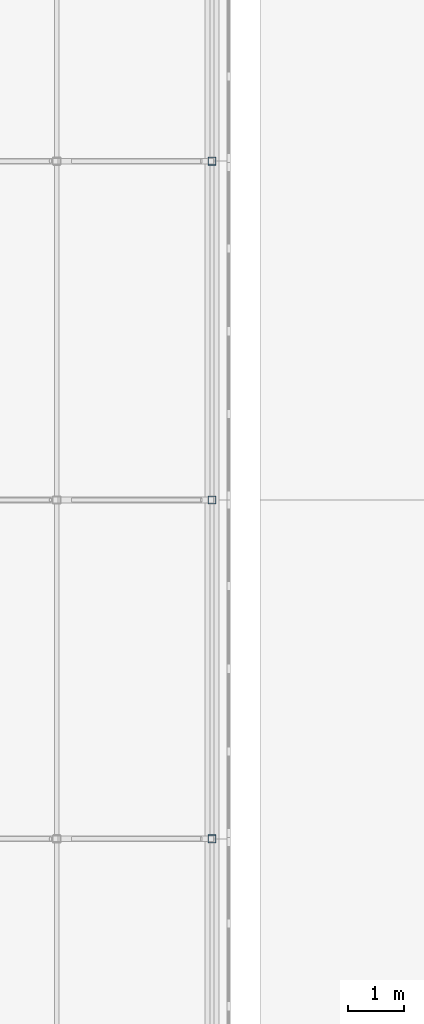
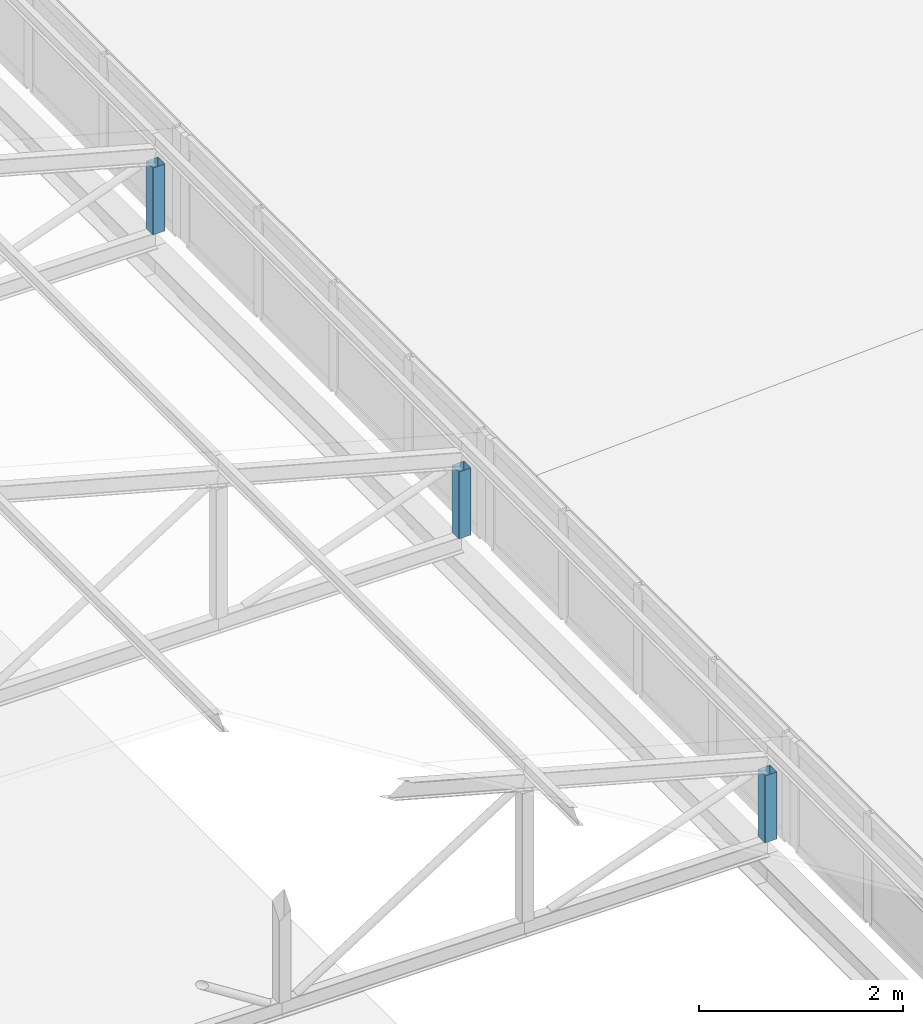
# One storey, part 71 of 94: 3 members.
"""IFC4 building model written with IfcOpenShell, lengths in metres."""

from ifc_helpers import new_model, si_unit, direction, frame, origin, origin_2d, place, context, subcontext, project, spatial, hollow_rectangle, extrude, material, material_profile, profile_set, type_object, element, save


model = new_model("IFC4")

# Units and contexts
model_context = context("Model", 3, precision=1e-05, world=origin(), true_north=direction((0.0, 1.0)))
body_context = subcontext(model_context, "Body", "Model", "MODEL_VIEW")
ifc_project = project(units=[si_unit("LENGTHUNIT", "METRE"), si_unit("AREAUNIT", "SQUARE_METRE"), si_unit("VOLUMEUNIT", "CUBIC_METRE"), si_unit("PLANEANGLEUNIT", "RADIAN"), si_unit("MASSUNIT", "GRAM", prefix="KILO")], contexts=[model_context])

# Site, building, storey
site_placement = place(None, origin())
site = spatial("IfcSite", under=ifc_project, at=site_placement, CompositionType="ELEMENT")
building_placement = place(site_placement, origin())
building = spatial("IfcBuilding", under=site, at=building_placement, Name="Lilac Gate Convention Centre", CompositionType="ELEMENT")
storey_placement = place(building_placement, frame((0.0, 0.0, 21.0)))
storey = spatial("IfcBuildingStorey", under=building, at=storey_placement, Name="L04", CompositionType="ELEMENT", Elevation=21.0)

# Members
ifc_material = material(Name="Steel Q355B", Category="steel")
ifc_material_profile = material_profile(ifc_material, hollow_rectangle(XDim=0.139892578125, YDim=0.139892578125, WallThickness=0.0048828125, InnerFilletRadius=0.0048828125, OuterFilletRadius=0.010009765625, at=origin_2d()), Name="SHS140x140x5")
ifc_profile_set = profile_set([ifc_material_profile], Name="Steel Q355B")
member_type = type_object("IfcMemberType", Name="Lantern post SHS140x140x5", PredefinedType="STRUT", material=ifc_profile_set)
for number, where, z_axis, x_axis, name in (
    (1, (28.60009765625, 120.0, 0.199951171875), (0.0, 0.0, 1.0), (1.0, 0.0, 0.0), "LV1 lantern truss 16 post 5"),
    (2, (28.60009765625, 126.0, 0.199951171875), (0.0, 0.0, 1.0), (1.0, 0.0, 0.0), "LV1 lantern truss 17 post 5"),
    (3, (28.60009765625, 132.0, 0.199951171875), (0.0, 0.0, 1.0), (1.0, 0.0, 0.0), "LV1 lantern truss 18 post 5"),
):
    element("IfcMember", number, at=place(storey_placement, frame(where, z_axis=z_axis, x_axis=x_axis)), inside=storey, type_object=member_type, Name=name, PredefinedType="STRUT", context=body_context, shape_type="SweptSolid", body=[
        extrude(hollow_rectangle(XDim=0.139892578125, YDim=0.139892578125, WallThickness=0.0048828125, InnerFilletRadius=0.0048828125, OuterFilletRadius=0.010009765625, at=origin_2d()), origin(), (0.0, 0.0, 1.0), 0.802001953125),
    ])

save(model, "model.ifc")
